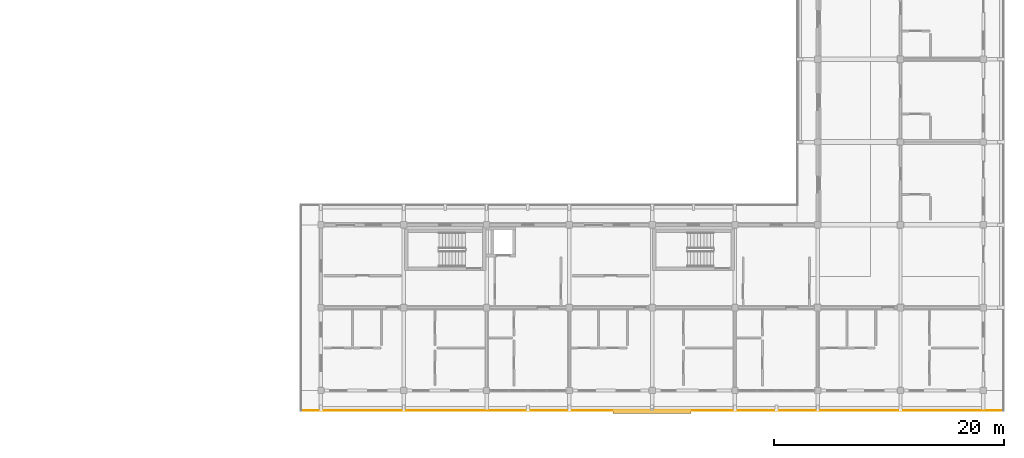
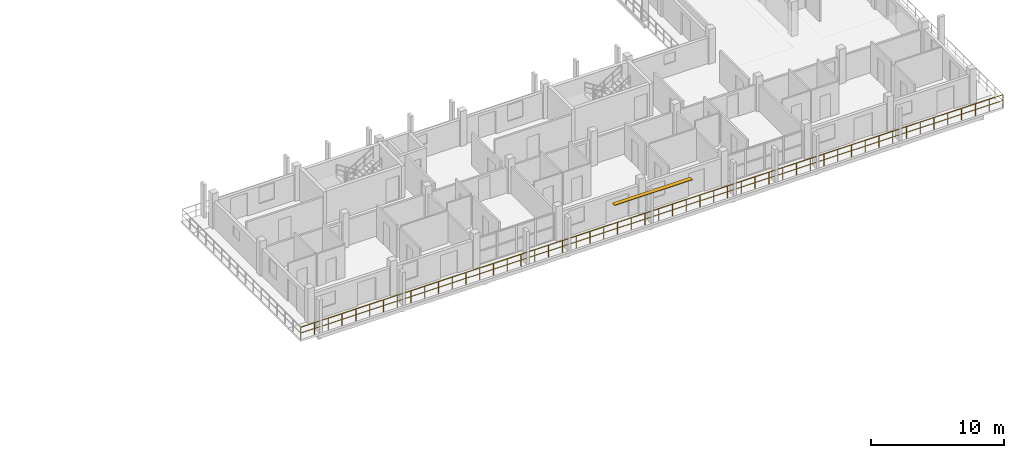
# One storey, part 68 of 73: 1 railing, 1 shading device.
"""IFC4 building model written with IfcOpenShell, lengths in metres."""

import ifcopenshell
import ifcopenshell.guid

model = None  # the IFC model being written
_history = None  # IfcOwnerHistory: only IFC2X3 demands one
_inside = {}  # id of a spatial element -> (the spatial element, [elements in it])
_under = {}  # id of a project, library or spatial element -> (it, [spatial elements below it])
_declared = {}  # id of a project -> (the project, [libraries it declares])
_typed = {}  # id of a type object -> (the type object, [elements of that type])
_made_of = {}  # id of a material, layer set ... -> (it, [elements and type objects made of it])


def new_model(schema):
    """Start an empty IFC model of exactly this schema.

    Asked for "IFC4X3", IfcOpenShell would pick the latest addendum, in which some entities
    have other attributes; the version numbers below select the first issue.
    IFC2X3 requires an IfcOwnerHistory on every rooted entity: one is made here for all.
    """
    global model, _history
    if schema == "IFC4X3":
        model = ifcopenshell.file(schema_version=(4, 3, 0, 0))
    else:
        model = ifcopenshell.file(schema=schema)
    _inside.clear()
    _under.clear()
    _declared.clear()
    _typed.clear()
    _made_of.clear()
    _history = None
    if model.schema == "IFC2X3":
        org = make("IfcOrganization", Name="unknown")
        user = make(
            "IfcPersonAndOrganization",
            ThePerson=make("IfcPerson", FamilyName="unknown"),
            TheOrganization=org,
        )
        app = make(
            "IfcApplication",
            ApplicationDeveloper=org,
            Version="unknown",
            ApplicationFullName="unknown",
            ApplicationIdentifier="unknown",
        )
        _history = make(
            "IfcOwnerHistory",
            OwningUser=user,
            OwningApplication=app,
            ChangeAction="ADDED",
            CreationDate=0,
        )
    return model


def make(cls, **values):
    """One entity of the class cls with the attributes given. An attribute that is None is left unset."""
    return model.create_entity(
        cls, **{name: value for name, value in values.items() if value is not None}
    )


def rooted(cls, **values):
    """An entity with a GlobalId (a new one), such as an element, a storey or a relation."""
    return make(cls, GlobalId=ifcopenshell.guid.new(), OwnerHistory=_history, **values)


def si_unit(unit_type, name, prefix=None):
    """IfcSIUnit, for example si_unit("LENGTHUNIT", "METRE", prefix="MILLI")."""
    return make("IfcSIUnit", UnitType=unit_type, Prefix=prefix, Name=name)


def assignment(units):
    """IfcUnitAssignment: the units of a project."""
    return None if units is None else make("IfcUnitAssignment", Units=units)


def point(xyz):
    """IfcCartesianPoint."""
    return None if xyz is None else make("IfcCartesianPoint", Coordinates=xyz)


def direction(xyz):
    """IfcDirection."""
    return None if xyz is None else make("IfcDirection", DirectionRatios=xyz)


def frame(location, z_axis=None, x_axis=None):
    """IfcAxis2Placement3D, a coordinate frame: its origin and axes. An axis left out is left unset."""
    return make(
        "IfcAxis2Placement3D",
        Location=point(location),
        Axis=direction(z_axis),
        RefDirection=direction(x_axis),
    )


def frame_2d(location, x_axis=None):
    """IfcAxis2Placement2D, a coordinate frame in the plane: its origin and x axis."""
    return make(
        "IfcAxis2Placement2D", Location=point(location), RefDirection=direction(x_axis)
    )


def origin():
    """The frame at (0, 0, 0) with its axes left unset."""
    return frame((0.0, 0.0, 0.0))


def origin_2d():
    """The frame at (0, 0) in the plane with its x axis left unset."""
    return frame_2d((0.0, 0.0))


def place(relative_to, where):
    """IfcLocalPlacement: puts the frame where relative to a parent placement (None: the world)."""
    return make(
        "IfcLocalPlacement", PlacementRelTo=relative_to, RelativePlacement=where
    )


def context(
    kind, dimensions, precision=None, world=None, true_north=None, identifier=None
):
    """IfcGeometricRepresentationContext, for example the 3D "Model" context."""
    return make(
        "IfcGeometricRepresentationContext",
        ContextIdentifier=identifier,
        ContextType=kind,
        CoordinateSpaceDimension=dimensions,
        Precision=precision,
        WorldCoordinateSystem=world,
        TrueNorth=true_north,
    )


def subcontext(parent, identifier, kind, view, scale=None):
    """IfcGeometricRepresentationSubContext, for example "Body" below "Model"."""
    return make(
        "IfcGeometricRepresentationSubContext",
        ContextIdentifier=identifier,
        ContextType=kind,
        ParentContext=parent,
        TargetScale=scale,
        TargetView=view,
    )


def project(units=None, contexts=None):
    """IfcProject with its units and contexts."""
    return rooted(
        "IfcProject",
        Name="project",
        RepresentationContexts=contexts,
        UnitsInContext=assignment(units),
    )


def spatial(cls, under=None, at=None, **own):
    """A site, building, storey or space (cls), placed at a placement, below another one or the project."""
    s = rooted(cls, ObjectPlacement=at, **own)
    if under is not None:
        _under.setdefault(under.id(), (under, []))[1].append(s)
    return s


def profile(cls, at=None, kind="AREA", **sizes):
    """A parametric profile (cls). Its sizes go by their IFC names, for example OverallWidth=200.0."""
    return make(cls, ProfileType=kind, Position=at, **sizes)


def rectangle(**sizes):
    """IfcRectangleProfileDef."""
    return profile("IfcRectangleProfileDef", **sizes)


def extrude(swept, where, along, depth):
    """IfcExtrudedAreaSolid: the profile swept, set in the frame where, extruded along a direction by depth."""
    return make(
        "IfcExtrudedAreaSolid",
        SweptArea=swept,
        Position=where,
        ExtrudedDirection=direction(along),
        Depth=depth,
    )


def shape(context_of_items, identifier, shape_type, items):
    """IfcShapeRepresentation: the items that make up one representation, for example the "Body"."""
    return make(
        "IfcShapeRepresentation",
        ContextOfItems=context_of_items,
        RepresentationIdentifier=identifier,
        RepresentationType=shape_type,
        Items=items,
    )


def material(Name=None, Category=None):
    """IfcMaterial."""
    return make("IfcMaterial", Name=Name, Category=Category)


def made_of(thing, what):
    """Note that an element or type object is made of a material, layer set ...; save() writes the relation."""
    if what is not None:
        _made_of.setdefault(what.id(), (what, []))[1].append(thing)
    return thing


def type_object(cls, material=None, **own):
    """A type object (cls), such as IfcWallType, which elements share."""
    return made_of(rooted(cls, **own), material)


def element(
    cls,
    number,
    at=None,
    inside=None,
    cuts=None,
    type_object=None,
    material=None,
    context=None,
    identifier="Body",
    shape_type=None,
    held_by="IfcProductDefinitionShape",
    body=None,
    shapes=None,
    **own,
):
    """One element of the class cls, such as IfcWall. Its Tag is "e" and its number.

    at: its placement. inside: the storey or other place that contains it. cuts: it is an
    opening in that element (IfcRelVoidsElement). A single representation is given by context,
    identifier, shape_type and body (its items); several are given by shapes. held_by: the class
    of the entity that holds the representations. save() writes the other relations.
    """
    e = rooted(cls, Tag="e%d" % number, ObjectPlacement=at, **own)
    if body is not None:
        shapes = [shape(context, identifier, shape_type, body)]
    if shapes is not None:
        e.Representation = make(held_by, Representations=shapes)
    if inside is not None:
        _inside.setdefault(inside.id(), (inside, []))[1].append(e)
    if cuts is not None:
        rooted(
            "IfcRelVoidsElement", RelatingBuildingElement=cuts, RelatedOpeningElement=e
        )
    if type_object is not None:
        _typed.setdefault(type_object.id(), (type_object, []))[1].append(e)
    return made_of(e, material)


def aggregate(whole, parts):
    """IfcRelAggregates: a whole, such as a stair, and the parts it consists of."""
    return rooted("IfcRelAggregates", RelatingObject=whole, RelatedObjects=parts)


def save(model, path):
    """Write the relations noted so far, then the file.

    IfcRelAggregates (storeys below a building ...), IfcRelContainedInSpatialStructure (elements
    in a storey), IfcRelDefinesByType, IfcRelAssociatesMaterial and IfcRelDeclares: one each for
    every whole, place, type object, material and project.
    """
    for whole, parts in _under.values():
        aggregate(whole, parts)
    for where, things in _inside.values():
        rooted(
            "IfcRelContainedInSpatialStructure",
            RelatedElements=things,
            RelatingStructure=where,
        )
    for kind, things in _typed.values():
        rooted("IfcRelDefinesByType", RelatedObjects=things, RelatingType=kind)
    for what, things in _made_of.values():
        rooted("IfcRelAssociatesMaterial", RelatedObjects=things, RelatingMaterial=what)
    for by, libraries in _declared.values():
        rooted("IfcRelDeclares", RelatingContext=by, RelatedDefinitions=libraries)
    model.write(path)


model = new_model("IFC4")

# Units and contexts
model_context = context("Model", 3, precision=1e-05, world=origin(), true_north=direction((0.0, 1.0)))
body_context = subcontext(model_context, "Body", "Model", "MODEL_VIEW")
ifc_project = project(units=[si_unit("LENGTHUNIT", "METRE"), si_unit("AREAUNIT", "SQUARE_METRE"), si_unit("VOLUMEUNIT", "CUBIC_METRE"), si_unit("PLANEANGLEUNIT", "RADIAN"), si_unit("MASSUNIT", "GRAM", prefix="KILO")], contexts=[model_context])

# Site, building, storey
site_placement = place(None, origin())
site = spatial("IfcSite", under=ifc_project, at=site_placement, CompositionType="ELEMENT")
building_placement = place(site_placement, origin())
building = spatial("IfcBuilding", under=site, at=building_placement, Name="Suanplinth Sawtooth Commons", CompositionType="ELEMENT")
storey_placement = place(building_placement, frame((0.0, 0.0, 21.89990234375)))
storey = spatial("IfcBuildingStorey", under=building, at=storey_placement, Name="L06", CompositionType="ELEMENT", Elevation=21.89990234375)

# Railing
ifc_material_1 = material(Name="Powder-coated galvanized steel", Category="steel")
railing_type = type_object("IfcRailingType", Name="GR-01", PredefinedType="BALUSTRADE", material=ifc_material_1)
railing_placement = place(storey_placement, frame((188.93994140625, -1.739990234375, 0.0)))
element("IfcRailing", 1, at=railing_placement, inside=storey, type_object=railing_type, Name="L06 Block C Perimeter Balustrade 6", PredefinedType="BALUSTRADE", context=body_context, shape_type="SweptSolid", body=[
    extrude(rectangle(XDim=0.048095703125, YDim=0.048095703125, at=origin_2d()), frame((0.0, 0.0, 1.09619140625), z_axis=(-1.0, 0.0, 0.0), x_axis=(0.0, -1.0, 0.0)), (0.0, 0.0, 1.0), 61.079833984375),
    extrude(rectangle(XDim=0.03369140625, YDim=0.03369140625, at=origin_2d()), frame((0.0, 0.0, 0.56005859375), z_axis=(-1.0, 0.0, 0.0), x_axis=(0.0, -1.0, 0.0)), (0.0, 0.0, 1.0), 61.079833984375),
    extrude(rectangle(XDim=0.0419921875, YDim=0.0419921875, at=origin_2d()), origin(), (0.0, 0.0, 1.0), 1.072021484375),
    extrude(rectangle(XDim=0.0419921875, YDim=0.0419921875, at=origin_2d()), frame((-1.19775390625, 0.0, 0.0)), (0.0, 0.0, 1.0), 1.072021484375),
    extrude(rectangle(XDim=0.0419921875, YDim=0.0419921875, at=origin_2d()), frame((-2.395263671875, 0.0, 0.0)), (0.0, 0.0, 1.0), 1.072021484375),
    extrude(rectangle(XDim=0.0419921875, YDim=0.0419921875, at=origin_2d()), frame((-3.593017578125, 0.0, 0.0)), (0.0, 0.0, 1.0), 1.072021484375),
    extrude(rectangle(XDim=0.0419921875, YDim=0.0419921875, at=origin_2d()), frame((-4.79052734375, 0.0, 0.0)), (0.0, 0.0, 1.0), 1.072021484375),
    extrude(rectangle(XDim=0.0419921875, YDim=0.0419921875, at=origin_2d()), frame((-5.98828125, 0.0, 0.0)), (0.0, 0.0, 1.0), 1.072021484375),
    extrude(rectangle(XDim=0.0419921875, YDim=0.0419921875, at=origin_2d()), frame((-7.185791015625, 0.0, 0.0)), (0.0, 0.0, 1.0), 1.072021484375),
    extrude(rectangle(XDim=0.0419921875, YDim=0.0419921875, at=origin_2d()), frame((-8.383544921875, 0.0, 0.0)), (0.0, 0.0, 1.0), 1.072021484375),
    extrude(rectangle(XDim=0.0419921875, YDim=0.0419921875, at=origin_2d()), frame((-9.5810546875, 0.0, 0.0)), (0.0, 0.0, 1.0), 1.072021484375),
    extrude(rectangle(XDim=0.0419921875, YDim=0.0419921875, at=origin_2d()), frame((-10.77880859375, 0.0, 0.0)), (0.0, 0.0, 1.0), 1.072021484375),
    extrude(rectangle(XDim=0.0419921875, YDim=0.0419921875, at=origin_2d()), frame((-11.976318359375, 0.0, 0.0)), (0.0, 0.0, 1.0), 1.072021484375),
    extrude(rectangle(XDim=0.0419921875, YDim=0.0419921875, at=origin_2d()), frame((-13.174072265625, 0.0, 0.0)), (0.0, 0.0, 1.0), 1.072021484375),
    extrude(rectangle(XDim=0.0419921875, YDim=0.0419921875, at=origin_2d()), frame((-14.371826171875, 0.0, 0.0)), (0.0, 0.0, 1.0), 1.072021484375),
    extrude(rectangle(XDim=0.0419921875, YDim=0.0419921875, at=origin_2d()), frame((-15.5693359375, 0.0, 0.0)), (0.0, 0.0, 1.0), 1.072021484375),
    extrude(rectangle(XDim=0.0419921875, YDim=0.0419921875, at=origin_2d()), frame((-16.76708984375, 0.0, 0.0)), (0.0, 0.0, 1.0), 1.072021484375),
    extrude(rectangle(XDim=0.0419921875, YDim=0.0419921875, at=origin_2d()), frame((-17.964599609375, 0.0, 0.0)), (0.0, 0.0, 1.0), 1.072021484375),
    extrude(rectangle(XDim=0.0419921875, YDim=0.0419921875, at=origin_2d()), frame((-19.162353515625, 0.0, 0.0)), (0.0, 0.0, 1.0), 1.072021484375),
    extrude(rectangle(XDim=0.0419921875, YDim=0.0419921875, at=origin_2d()), frame((-20.35986328125, 0.0, 0.0)), (0.0, 0.0, 1.0), 1.072021484375),
    extrude(rectangle(XDim=0.0419921875, YDim=0.0419921875, at=origin_2d()), frame((-21.5576171875, 0.0, 0.0)), (0.0, 0.0, 1.0), 1.072021484375),
    extrude(rectangle(XDim=0.0419921875, YDim=0.0419921875, at=origin_2d()), frame((-22.755126953125, 0.0, 0.0)), (0.0, 0.0, 1.0), 1.072021484375),
    extrude(rectangle(XDim=0.0419921875, YDim=0.0419921875, at=origin_2d()), frame((-23.952880859375, 0.0, 0.0)), (0.0, 0.0, 1.0), 1.072021484375),
    extrude(rectangle(XDim=0.0419921875, YDim=0.0419921875, at=origin_2d()), frame((-25.150634765625, 0.0, 0.0)), (0.0, 0.0, 1.0), 1.072021484375),
    extrude(rectangle(XDim=0.0419921875, YDim=0.0419921875, at=origin_2d()), frame((-26.34814453125, 0.0, 0.0)), (0.0, 0.0, 1.0), 1.072021484375),
    extrude(rectangle(XDim=0.0419921875, YDim=0.0419921875, at=origin_2d()), frame((-27.5458984375, 0.0, 0.0)), (0.0, 0.0, 1.0), 1.072021484375),
    extrude(rectangle(XDim=0.0419921875, YDim=0.0419921875, at=origin_2d()), frame((-28.743408203125, 0.0, 0.0)), (0.0, 0.0, 1.0), 1.072021484375),
    extrude(rectangle(XDim=0.0419921875, YDim=0.0419921875, at=origin_2d()), frame((-29.941162109375, 0.0, 0.0)), (0.0, 0.0, 1.0), 1.072021484375),
    extrude(rectangle(XDim=0.0419921875, YDim=0.0419921875, at=origin_2d()), frame((-31.138671875, 0.0, 0.0)), (0.0, 0.0, 1.0), 1.072021484375),
    extrude(rectangle(XDim=0.0419921875, YDim=0.0419921875, at=origin_2d()), frame((-32.33642578125, 0.0, 0.0)), (0.0, 0.0, 1.0), 1.072021484375),
    extrude(rectangle(XDim=0.0419921875, YDim=0.0419921875, at=origin_2d()), frame((-33.533935546875, 0.0, 0.0)), (0.0, 0.0, 1.0), 1.072021484375),
    extrude(rectangle(XDim=0.0419921875, YDim=0.0419921875, at=origin_2d()), frame((-34.731689453125, 0.0, 0.0)), (0.0, 0.0, 1.0), 1.072021484375),
    extrude(rectangle(XDim=0.0419921875, YDim=0.0419921875, at=origin_2d()), frame((-35.92919921875, 0.0, 0.0)), (0.0, 0.0, 1.0), 1.072021484375),
    extrude(rectangle(XDim=0.0419921875, YDim=0.0419921875, at=origin_2d()), frame((-37.126953125, 0.0, 0.0)), (0.0, 0.0, 1.0), 1.072021484375),
    extrude(rectangle(XDim=0.0419921875, YDim=0.0419921875, at=origin_2d()), frame((-38.32470703125, 0.0, 0.0)), (0.0, 0.0, 1.0), 1.072021484375),
    extrude(rectangle(XDim=0.0419921875, YDim=0.0419921875, at=origin_2d()), frame((-39.522216796875, 0.0, 0.0)), (0.0, 0.0, 1.0), 1.072021484375),
    extrude(rectangle(XDim=0.0419921875, YDim=0.0419921875, at=origin_2d()), frame((-40.719970703125, 0.0, 0.0)), (0.0, 0.0, 1.0), 1.072021484375),
    extrude(rectangle(XDim=0.0419921875, YDim=0.0419921875, at=origin_2d()), frame((-41.91748046875, 0.0, 0.0)), (0.0, 0.0, 1.0), 1.072021484375),
    extrude(rectangle(XDim=0.0419921875, YDim=0.0419921875, at=origin_2d()), frame((-43.115234375, 0.0, 0.0)), (0.0, 0.0, 1.0), 1.072021484375),
    extrude(rectangle(XDim=0.0419921875, YDim=0.0419921875, at=origin_2d()), frame((-44.312744140625, 0.0, 0.0)), (0.0, 0.0, 1.0), 1.072021484375),
    extrude(rectangle(XDim=0.0419921875, YDim=0.0419921875, at=origin_2d()), frame((-45.510498046875, 0.0, 0.0)), (0.0, 0.0, 1.0), 1.072021484375),
    extrude(rectangle(XDim=0.0419921875, YDim=0.0419921875, at=origin_2d()), frame((-46.7080078125, 0.0, 0.0)), (0.0, 0.0, 1.0), 1.072021484375),
    extrude(rectangle(XDim=0.0419921875, YDim=0.0419921875, at=origin_2d()), frame((-47.90576171875, 0.0, 0.0)), (0.0, 0.0, 1.0), 1.072021484375),
    extrude(rectangle(XDim=0.0419921875, YDim=0.0419921875, at=origin_2d()), frame((-49.103515625, 0.0, 0.0)), (0.0, 0.0, 1.0), 1.072021484375),
    extrude(rectangle(XDim=0.0419921875, YDim=0.0419921875, at=origin_2d()), frame((-50.301025390625, 0.0, 0.0)), (0.0, 0.0, 1.0), 1.072021484375),
    extrude(rectangle(XDim=0.0419921875, YDim=0.0419921875, at=origin_2d()), frame((-51.498779296875, 0.0, 0.0)), (0.0, 0.0, 1.0), 1.072021484375),
    extrude(rectangle(XDim=0.0419921875, YDim=0.0419921875, at=origin_2d()), frame((-52.6962890625, 0.0, 0.0)), (0.0, 0.0, 1.0), 1.072021484375),
    extrude(rectangle(XDim=0.0419921875, YDim=0.0419921875, at=origin_2d()), frame((-53.89404296875, 0.0, 0.0)), (0.0, 0.0, 1.0), 1.072021484375),
    extrude(rectangle(XDim=0.0419921875, YDim=0.0419921875, at=origin_2d()), frame((-55.091552734375, 0.0, 0.0)), (0.0, 0.0, 1.0), 1.072021484375),
    extrude(rectangle(XDim=0.0419921875, YDim=0.0419921875, at=origin_2d()), frame((-56.289306640625, 0.0, 0.0)), (0.0, 0.0, 1.0), 1.072021484375),
    extrude(rectangle(XDim=0.0419921875, YDim=0.0419921875, at=origin_2d()), frame((-57.48681640625, 0.0, 0.0)), (0.0, 0.0, 1.0), 1.072021484375),
    extrude(rectangle(XDim=0.0419921875, YDim=0.0419921875, at=origin_2d()), frame((-58.6845703125, 0.0, 0.0)), (0.0, 0.0, 1.0), 1.072021484375),
    extrude(rectangle(XDim=0.0419921875, YDim=0.0419921875, at=origin_2d()), frame((-59.882080078125, 0.0, 0.0)), (0.0, 0.0, 1.0), 1.072021484375),
    extrude(rectangle(XDim=0.0419921875, YDim=0.0419921875, at=origin_2d()), frame((-61.079833984375, 0.0, 0.0)), (0.0, 0.0, 1.0), 1.072021484375),
])

# Shading device
ifc_material_2 = material(Name="Anodized aluminium 6063-T6", Category="aluminium")
shading_device_type = type_object("IfcShadingDeviceType", Name="SHD-01", PredefinedType="JALOUSIE", material=ifc_material_2)
shading_device_placement = place(storey_placement, frame((158.39990234375, -1.840087890625, 2.920166015625), z_axis=(0.0, 0.0, 1.0), x_axis=(1.0, 0.0, 0.0)))
element("IfcShadingDevice", 2, at=shading_device_placement, inside=storey, type_object=shading_device_type, Name="Monsoon Louvre L06-C-1", PredefinedType="JALOUSIE", context=body_context, shape_type="SweptSolid", body=[
    extrude(rectangle(XDim=6.800048828125, YDim=0.35009765625, at=origin_2d()), origin(), (0.0, 0.0, 1.0), 0.06005859375),
])

save(model, "model.ifc")
